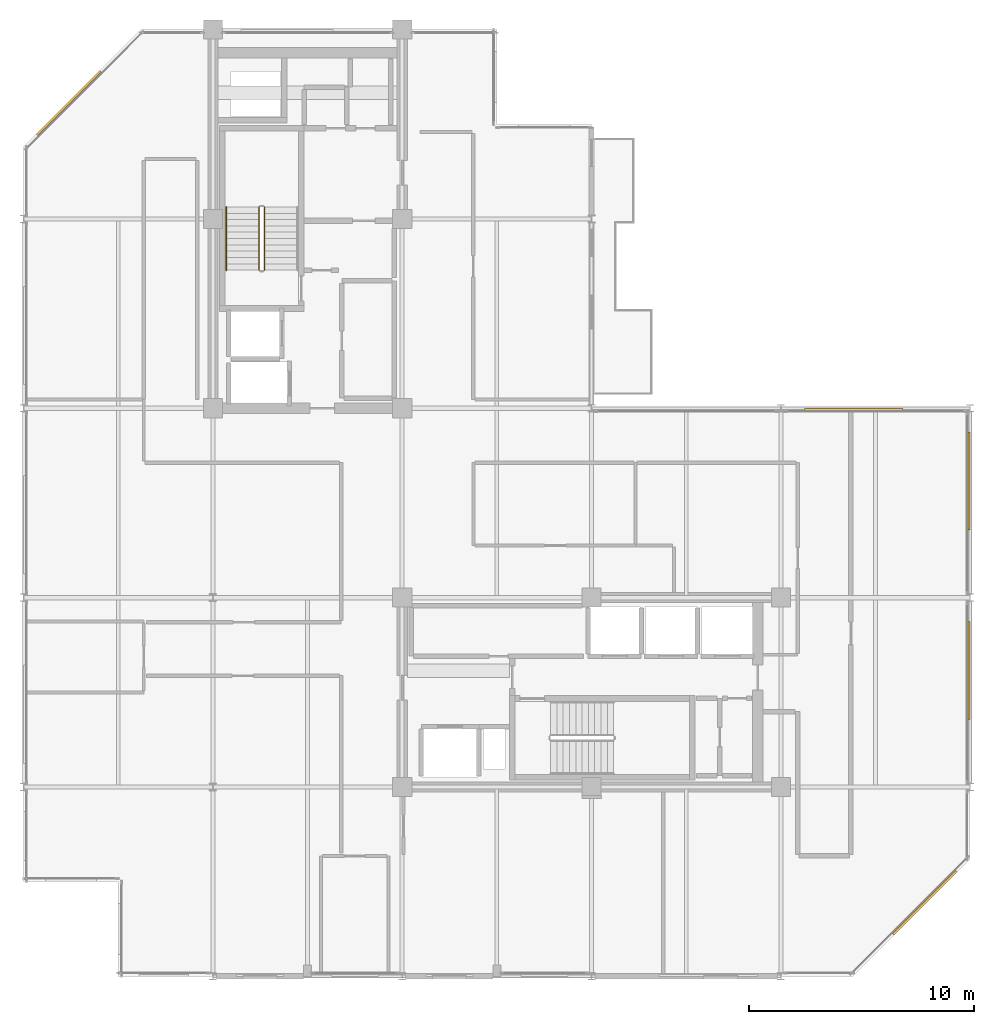
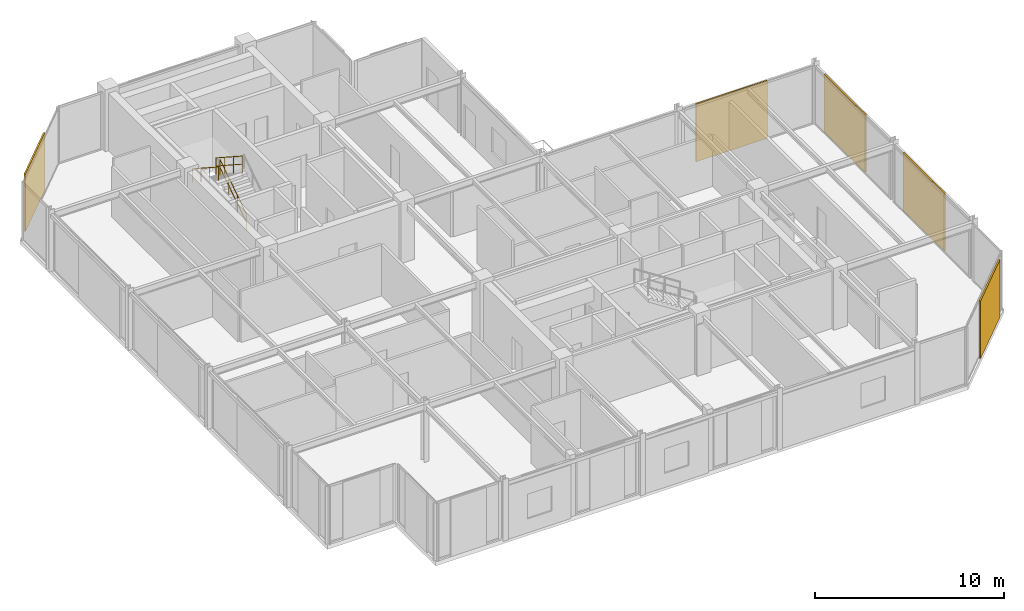
# One storey, part 25 of 26: 5 coverings, 3 railings.
"""IFC4 building model written with IfcOpenShell, lengths in metres."""

import ifcopenshell
import ifcopenshell.guid

model = None  # the IFC model being written
_history = None  # IfcOwnerHistory: only IFC2X3 demands one
_inside = {}  # id of a spatial element -> (the spatial element, [elements in it])
_under = {}  # id of a project, library or spatial element -> (it, [spatial elements below it])
_declared = {}  # id of a project -> (the project, [libraries it declares])
_typed = {}  # id of a type object -> (the type object, [elements of that type])
_made_of = {}  # id of a material, layer set ... -> (it, [elements and type objects made of it])


def new_model(schema):
    """Start an empty IFC model of exactly this schema.

    Asked for "IFC4X3", IfcOpenShell would pick the latest addendum, in which some entities
    have other attributes; the version numbers below select the first issue.
    IFC2X3 requires an IfcOwnerHistory on every rooted entity: one is made here for all.
    """
    global model, _history
    if schema == "IFC4X3":
        model = ifcopenshell.file(schema_version=(4, 3, 0, 0))
    else:
        model = ifcopenshell.file(schema=schema)
    _inside.clear()
    _under.clear()
    _declared.clear()
    _typed.clear()
    _made_of.clear()
    _history = None
    if model.schema == "IFC2X3":
        org = make("IfcOrganization", Name="unknown")
        user = make(
            "IfcPersonAndOrganization",
            ThePerson=make("IfcPerson", FamilyName="unknown"),
            TheOrganization=org,
        )
        app = make(
            "IfcApplication",
            ApplicationDeveloper=org,
            Version="unknown",
            ApplicationFullName="unknown",
            ApplicationIdentifier="unknown",
        )
        _history = make(
            "IfcOwnerHistory",
            OwningUser=user,
            OwningApplication=app,
            ChangeAction="ADDED",
            CreationDate=0,
        )
    return model


def make(cls, **values):
    """One entity of the class cls with the attributes given. An attribute that is None is left unset."""
    return model.create_entity(
        cls, **{name: value for name, value in values.items() if value is not None}
    )


def rooted(cls, **values):
    """An entity with a GlobalId (a new one), such as an element, a storey or a relation."""
    return make(cls, GlobalId=ifcopenshell.guid.new(), OwnerHistory=_history, **values)


def si_unit(unit_type, name, prefix=None):
    """IfcSIUnit, for example si_unit("LENGTHUNIT", "METRE", prefix="MILLI")."""
    return make("IfcSIUnit", UnitType=unit_type, Prefix=prefix, Name=name)


def assignment(units):
    """IfcUnitAssignment: the units of a project."""
    return None if units is None else make("IfcUnitAssignment", Units=units)


def point(xyz):
    """IfcCartesianPoint."""
    return None if xyz is None else make("IfcCartesianPoint", Coordinates=xyz)


def direction(xyz):
    """IfcDirection."""
    return None if xyz is None else make("IfcDirection", DirectionRatios=xyz)


def frame(location, z_axis=None, x_axis=None):
    """IfcAxis2Placement3D, a coordinate frame: its origin and axes. An axis left out is left unset."""
    return make(
        "IfcAxis2Placement3D",
        Location=point(location),
        Axis=direction(z_axis),
        RefDirection=direction(x_axis),
    )


def frame_2d(location, x_axis=None):
    """IfcAxis2Placement2D, a coordinate frame in the plane: its origin and x axis."""
    return make(
        "IfcAxis2Placement2D", Location=point(location), RefDirection=direction(x_axis)
    )


def origin():
    """The frame at (0, 0, 0) with its axes left unset."""
    return frame((0.0, 0.0, 0.0))


def origin_2d():
    """The frame at (0, 0) in the plane with its x axis left unset."""
    return frame_2d((0.0, 0.0))


def place(relative_to, where):
    """IfcLocalPlacement: puts the frame where relative to a parent placement (None: the world)."""
    return make(
        "IfcLocalPlacement", PlacementRelTo=relative_to, RelativePlacement=where
    )


def context(
    kind, dimensions, precision=None, world=None, true_north=None, identifier=None
):
    """IfcGeometricRepresentationContext, for example the 3D "Model" context."""
    return make(
        "IfcGeometricRepresentationContext",
        ContextIdentifier=identifier,
        ContextType=kind,
        CoordinateSpaceDimension=dimensions,
        Precision=precision,
        WorldCoordinateSystem=world,
        TrueNorth=true_north,
    )


def subcontext(parent, identifier, kind, view, scale=None):
    """IfcGeometricRepresentationSubContext, for example "Body" below "Model"."""
    return make(
        "IfcGeometricRepresentationSubContext",
        ContextIdentifier=identifier,
        ContextType=kind,
        ParentContext=parent,
        TargetScale=scale,
        TargetView=view,
    )


def project(units=None, contexts=None):
    """IfcProject with its units and contexts."""
    return rooted(
        "IfcProject",
        Name="project",
        RepresentationContexts=contexts,
        UnitsInContext=assignment(units),
    )


def spatial(cls, under=None, at=None, **own):
    """A site, building, storey or space (cls), placed at a placement, below another one or the project."""
    s = rooted(cls, ObjectPlacement=at, **own)
    if under is not None:
        _under.setdefault(under.id(), (under, []))[1].append(s)
    return s


def profile(cls, at=None, kind="AREA", **sizes):
    """A parametric profile (cls). Its sizes go by their IFC names, for example OverallWidth=200.0."""
    return make(cls, ProfileType=kind, Position=at, **sizes)


def rectangle(**sizes):
    """IfcRectangleProfileDef."""
    return profile("IfcRectangleProfileDef", **sizes)


def circle(**sizes):
    """IfcCircleProfileDef."""
    return profile("IfcCircleProfileDef", **sizes)


def extrude(swept, where, along, depth):
    """IfcExtrudedAreaSolid: the profile swept, set in the frame where, extruded along a direction by depth."""
    return make(
        "IfcExtrudedAreaSolid",
        SweptArea=swept,
        Position=where,
        ExtrudedDirection=direction(along),
        Depth=depth,
    )


def shape(context_of_items, identifier, shape_type, items):
    """IfcShapeRepresentation: the items that make up one representation, for example the "Body"."""
    return make(
        "IfcShapeRepresentation",
        ContextOfItems=context_of_items,
        RepresentationIdentifier=identifier,
        RepresentationType=shape_type,
        Items=items,
    )


def material(Name=None, Category=None):
    """IfcMaterial."""
    return make("IfcMaterial", Name=Name, Category=Category)


def layer(
    of_material, thickness, ventilated=None, Name=None, Category=None, Priority=None
):
    """IfcMaterialLayer: one layer of a wall or slab, of a material (None: an air gap)."""
    return make(
        "IfcMaterialLayer",
        Material=of_material,
        LayerThickness=thickness,
        IsVentilated=ventilated,
        Name=Name,
        Category=Category,
        Priority=Priority,
    )


def layer_set(layers, Name=None):
    """IfcMaterialLayerSet."""
    return make("IfcMaterialLayerSet", MaterialLayers=layers, LayerSetName=Name)


def made_of(thing, what):
    """Note that an element or type object is made of a material, layer set ...; save() writes the relation."""
    if what is not None:
        _made_of.setdefault(what.id(), (what, []))[1].append(thing)
    return thing


def type_object(cls, material=None, **own):
    """A type object (cls), such as IfcWallType, which elements share."""
    return made_of(rooted(cls, **own), material)


def element(
    cls,
    number,
    at=None,
    inside=None,
    cuts=None,
    type_object=None,
    material=None,
    context=None,
    identifier="Body",
    shape_type=None,
    held_by="IfcProductDefinitionShape",
    body=None,
    shapes=None,
    **own,
):
    """One element of the class cls, such as IfcWall. Its Tag is "e" and its number.

    at: its placement. inside: the storey or other place that contains it. cuts: it is an
    opening in that element (IfcRelVoidsElement). A single representation is given by context,
    identifier, shape_type and body (its items); several are given by shapes. held_by: the class
    of the entity that holds the representations. save() writes the other relations.
    """
    e = rooted(cls, Tag="e%d" % number, ObjectPlacement=at, **own)
    if body is not None:
        shapes = [shape(context, identifier, shape_type, body)]
    if shapes is not None:
        e.Representation = make(held_by, Representations=shapes)
    if inside is not None:
        _inside.setdefault(inside.id(), (inside, []))[1].append(e)
    if cuts is not None:
        rooted(
            "IfcRelVoidsElement", RelatingBuildingElement=cuts, RelatedOpeningElement=e
        )
    if type_object is not None:
        _typed.setdefault(type_object.id(), (type_object, []))[1].append(e)
    return made_of(e, material)


def aggregate(whole, parts):
    """IfcRelAggregates: a whole, such as a stair, and the parts it consists of."""
    return rooted("IfcRelAggregates", RelatingObject=whole, RelatedObjects=parts)


def save(model, path):
    """Write the relations noted so far, then the file.

    IfcRelAggregates (storeys below a building ...), IfcRelContainedInSpatialStructure (elements
    in a storey), IfcRelDefinesByType, IfcRelAssociatesMaterial and IfcRelDeclares: one each for
    every whole, place, type object, material and project.
    """
    for whole, parts in _under.values():
        aggregate(whole, parts)
    for where, things in _inside.values():
        rooted(
            "IfcRelContainedInSpatialStructure",
            RelatedElements=things,
            RelatingStructure=where,
        )
    for kind, things in _typed.values():
        rooted("IfcRelDefinesByType", RelatedObjects=things, RelatingType=kind)
    for what, things in _made_of.values():
        rooted("IfcRelAssociatesMaterial", RelatedObjects=things, RelatingMaterial=what)
    for by, libraries in _declared.values():
        rooted("IfcRelDeclares", RelatingContext=by, RelatedDefinitions=libraries)
    model.write(path)


model = new_model("IFC4")

# Units and contexts
model_context = context("Model", 3, precision=1e-05, world=origin(), true_north=direction((0.0, 1.0)))
body_context = subcontext(model_context, "Body", "Model", "MODEL_VIEW")
ifc_project = project(units=[si_unit("LENGTHUNIT", "METRE"), si_unit("AREAUNIT", "SQUARE_METRE"), si_unit("VOLUMEUNIT", "CUBIC_METRE"), si_unit("PLANEANGLEUNIT", "RADIAN"), si_unit("MASSUNIT", "GRAM", prefix="KILO")], contexts=[model_context])

# Site, building, storey
site_placement = place(None, origin())
site = spatial("IfcSite", under=ifc_project, at=site_placement, CompositionType="ELEMENT")
building_placement = place(site_placement, origin())
building = spatial("IfcBuilding", under=site, at=building_placement, Name="Nerrivon Quay Data Exchange", CompositionType="ELEMENT")
storey_placement = place(building_placement, frame((0.0, 0.0, 262.199951171875)))
storey = spatial("IfcBuildingStorey", under=building, at=storey_placement, Name="L62", CompositionType="ELEMENT", Elevation=262.199951171875)

# Coverings
ifc_material_1 = material(Name="Architectural terracotta ceramic", Category="masonry")
ifc_layer = layer(ifc_material_1, 0.090087890625)
ifc_layer_set = layer_set([ifc_layer], Name="Architectural terracotta ceramic")
covering_type = type_object("IfcCoveringType", Name="COV-SCR-TERR", PredefinedType="CLADDING", material=ifc_layer_set)
for number, where, z_axis, x_axis, name in (
    (1, (39.9921875, 3.255859375, 0.0), (0.0, 0.0, 1.0), (-0.707106781187, -0.707106781187, 0.0), "L62 Perforated Terracotta SOLAR SCREEN Cassette"),
    (2, (2.0078125, 38.744140625, 0.0), (0.0, 0.0, 1.0), (0.707106781187, 0.707106781187, 0.0), "L62 Perforated Terracotta SOLAR SCREEN Cassette"),
):
    element("IfcCovering", number, at=place(storey_placement, frame(where, z_axis=z_axis, x_axis=x_axis)), inside=storey, type_object=covering_type, Name=name, PredefinedType="CLADDING", context=body_context, shape_type="SweptSolid", body=[
        extrude(rectangle(XDim=3.970947265625, YDim=0.090087890625, at=origin_2d()), origin(), (0.0, 0.0, 1.0), 3.72509765625),
    ])
covering_placement = place(storey_placement, frame((36.829345703125, 25.155029296875, 0.0), z_axis=(0.0, 0.0, 1.0), x_axis=(1.0, 0.0, 0.0)))
element("IfcCovering", 3, at=covering_placement, inside=storey, type_object=covering_type, Name="L62 Perforated Terracotta SOLAR SCREEN Cassette", PredefinedType="CLADDING", context=body_context, shape_type="SweptSolid", body=[
    extrude(rectangle(XDim=4.367919921875, YDim=0.090087890625, at=origin_2d()), origin(), (0.0, 0.0, 1.0), 3.72509765625),
])
for number, where, z_axis, x_axis, name in (
    (4, (41.955078125, 21.96875, 0.0), (0.0, 0.0, 1.0), (0.0, -1.0, 0.0), "L62 Perforated Terracotta SOLAR SCREEN Cassette"),
    (5, (41.955078125, 13.56884765625, 0.0), (0.0, 0.0, 1.0), (0.0, -1.0, 0.0), "L62 Perforated Terracotta SOLAR SCREEN Cassette"),
):
    element("IfcCovering", number, at=place(storey_placement, frame(where, z_axis=z_axis, x_axis=x_axis)), inside=storey, type_object=covering_type, Name=name, PredefinedType="CLADDING", context=body_context, shape_type="SweptSolid", body=[
        extrude(rectangle(XDim=4.35888671875, YDim=0.090087890625, at=origin_2d()), origin(), (0.0, 0.0, 1.0), 3.72509765625),
    ])

# Railings
ifc_material_2 = material(Name="Steel Grade C350L0 (350 MPa)", Category="steel")
railing_type_1 = type_object("IfcRailingType", Name="RAIL-HAND-HR1", PredefinedType="HANDRAIL", material=ifc_material_2)
railing_1_placement = place(storey_placement, frame((9.0, 34.1298828125, 2.181884765625)))
element("IfcRailing", 6, at=railing_1_placement, inside=storey, type_object=railing_type_1, Name="L62 ST01 stair handrail 2", PredefinedType="HANDRAIL", context=body_context, shape_type="SweptSolid", body=[
    extrude(circle(Radius=0.02392578125, at=origin_2d()), frame((0.0, 0.0, 0.8759765625), z_axis=(0.0, -0.83868413941, 0.544618136222), x_axis=(1.0, 0.0, 0.0)), (0.0, 0.0, 1.0), 3.33837890625),
    extrude(circle(Radius=0.02099609375, at=origin_2d()), origin(), (0.0, 0.0, 1.0), 0.851806640625),
    extrude(circle(Radius=0.02099609375, at=origin_2d()), frame((0.0, -0.933349609375, 0.60595703125)), (0.0, 0.0, 1.0), 0.851806640625),
    extrude(circle(Radius=0.02099609375, at=origin_2d()), frame((0.0, -1.866455078125, 1.212158203125)), (0.0, 0.0, 1.0), 0.851806640625),
    extrude(circle(Radius=0.02099609375, at=origin_2d()), frame((0.0, -2.7998046875, 1.818115234375)), (0.0, 0.0, 1.0), 0.851806640625),
])
railing_type_2 = type_object("IfcRailingType", Name="RAIL-STAIR-GR1", PredefinedType="BALUSTRADE", material=ifc_material_2)
railing_2_placement = place(storey_placement, frame((10.699951171875, 31.330078125, 0.181884765625)))
element("IfcRailing", 7, at=railing_2_placement, inside=storey, type_object=railing_type_2, Name="L62 ST01 stair guard 1", PredefinedType="BALUSTRADE", context=body_context, shape_type="SweptSolid", body=[
    extrude(circle(Radius=0.02392578125, at=origin_2d()), frame((0.0, 0.0, 1.076171875), z_axis=(0.0, 0.83868413941, 0.544618136222), x_axis=(-1.0, 0.0, 0.0)), (0.0, 0.0, 1.0), 3.33837890625),
    extrude(circle(Radius=0.02392578125, at=origin_2d()), frame((0.0, 0.0, 0.550048828125), z_axis=(0.0, 0.83868413941, 0.544618136222), x_axis=(-1.0, 0.0, 0.0)), (0.0, 0.0, 1.0), 3.33837890625),
    extrude(circle(Radius=0.02099609375, at=origin_2d()), origin(), (0.0, 0.0, 1.0), 1.052001953125),
    extrude(circle(Radius=0.02099609375, at=origin_2d()), frame((0.0, 0.933349609375, 0.60595703125)), (0.0, 0.0, 1.0), 1.052001953125),
    extrude(circle(Radius=0.02099609375, at=origin_2d()), frame((0.0, 1.866455078125, 1.212158203125)), (0.0, 0.0, 1.0), 1.052001953125),
    extrude(circle(Radius=0.02099609375, at=origin_2d()), frame((0.0, 2.7998046875, 1.818115234375)), (0.0, 0.0, 1.0), 1.052001953125),
])
railing_3_placement = place(storey_placement, frame((10.449951171875, 34.1298828125, 2.181884765625)))
element("IfcRailing", 8, at=railing_3_placement, inside=storey, type_object=railing_type_2, Name="L62 ST01 stair guard 3", PredefinedType="BALUSTRADE", context=body_context, shape_type="SweptSolid", body=[
    extrude(circle(Radius=0.02392578125, at=origin_2d()), frame((0.0, 0.0, 1.076171875), z_axis=(0.0, -0.83868413941, 0.544618136222), x_axis=(1.0, 0.0, 0.0)), (0.0, 0.0, 1.0), 3.33837890625),
    extrude(circle(Radius=0.02392578125, at=origin_2d()), frame((0.0, 0.0, 0.550048828125), z_axis=(0.0, -0.83868413941, 0.544618136222), x_axis=(1.0, 0.0, 0.0)), (0.0, 0.0, 1.0), 3.33837890625),
    extrude(circle(Radius=0.02099609375, at=origin_2d()), origin(), (0.0, 0.0, 1.0), 1.052001953125),
    extrude(circle(Radius=0.02099609375, at=origin_2d()), frame((0.0, -0.933349609375, 0.60595703125)), (0.0, 0.0, 1.0), 1.052001953125),
    extrude(circle(Radius=0.02099609375, at=origin_2d()), frame((0.0, -1.866455078125, 1.212158203125)), (0.0, 0.0, 1.0), 1.052001953125),
    extrude(circle(Radius=0.02099609375, at=origin_2d()), frame((0.0, -2.7998046875, 1.818115234375)), (0.0, 0.0, 1.0), 1.052001953125),
])

save(model, "model.ifc")
